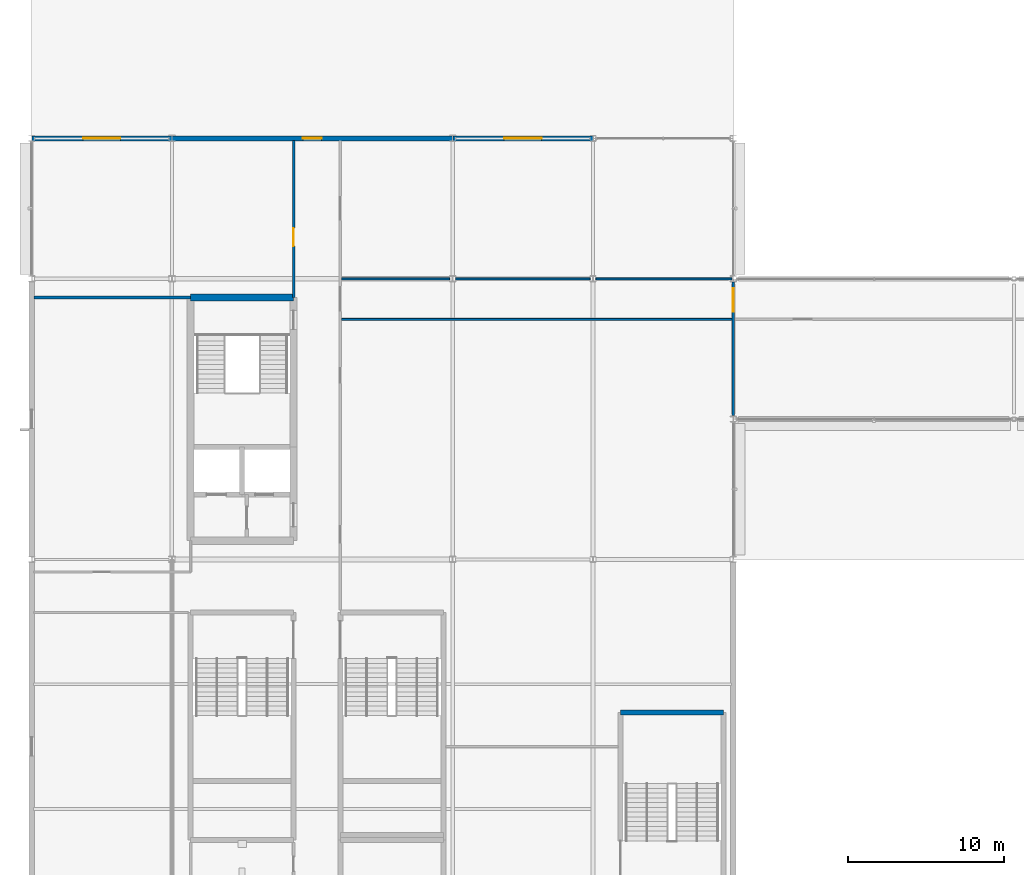
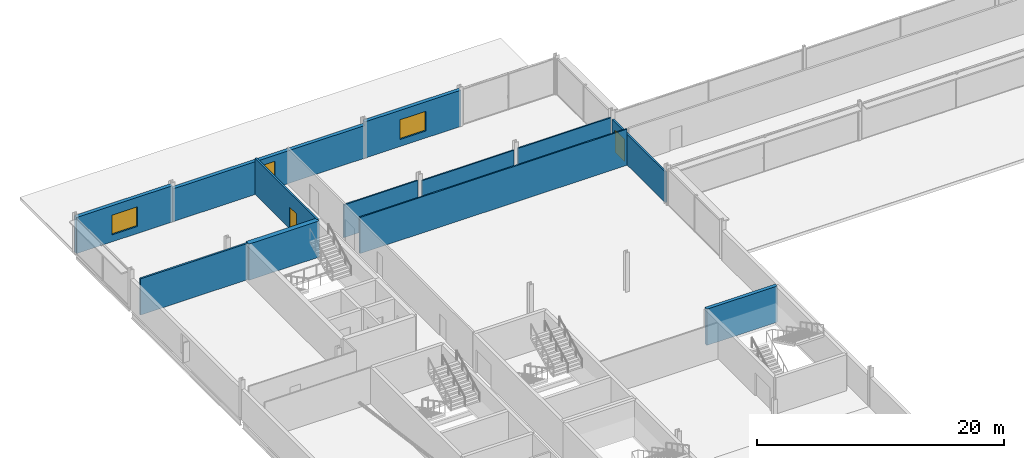
# One storey, part 65 of 105: 12 walls, 3 windows, 2 doors, 5 openings.
"""IFC4 building model written with IfcOpenShell, lengths in metres."""

from ifc_helpers import new_model, si_unit, direction, frame, frame_2d, origin, place, context, subcontext, project, spatial, rectangle, extrude, material, layer, layer_set, type_object, element, fill, save


model = new_model("IFC4")

# Units and contexts
model_context = context("Model", 3, precision=1e-05, world=origin(), true_north=direction((0.0, 1.0)))
body_context = subcontext(model_context, "Body", "Model", "MODEL_VIEW")
ifc_project = project(units=[si_unit("LENGTHUNIT", "METRE"), si_unit("AREAUNIT", "SQUARE_METRE"), si_unit("VOLUMEUNIT", "CUBIC_METRE"), si_unit("PLANEANGLEUNIT", "RADIAN"), si_unit("MASSUNIT", "GRAM", prefix="KILO")], contexts=[model_context])

# Site, building, storey
site_placement = place(None, origin())
site = spatial("IfcSite", under=ifc_project, at=site_placement, CompositionType="ELEMENT")
building_placement = place(site_placement, origin())
building = spatial("IfcBuilding", under=site, at=building_placement, Name="Kisiwana Market Hall", CompositionType="ELEMENT")
storey_placement = place(building_placement, frame((0.0, 0.0, 21.60009765625)))
storey = spatial("IfcBuildingStorey", under=building, at=storey_placement, Name="L04", CompositionType="ELEMENT", Elevation=21.60009765625)

# Walls
ifc_material_1 = material(Name="Concrete C40/50", Category="concrete")
ifc_layer_1 = layer(ifc_material_1, 0.320068359375, Name="Reinforced concrete shaft wall")
ifc_layer_set_1 = layer_set([ifc_layer_1], Name="WL-CORE-320")
wall_type_1 = type_object("IfcWallType", Name="WL-CORE-320", PredefinedType="SHEAR", material=ifc_layer_set_1)
wall_1_placement = place(storey_placement, frame((37.77001953125, 74.199951171875, 0.0), z_axis=(0.0, 0.0, 1.0), x_axis=(1.0, 0.0, 0.0)))
element("IfcWall", 1, at=wall_1_placement, inside=storey, type_object=wall_type_1, Name="Core W10 north shear wall W-1599", PredefinedType="SHEAR", context=body_context, shape_type="SweptSolid", body=[
    extrude(rectangle(XDim=6.60009765625, YDim=0.320068359375, at=frame_2d((3.300048828125, 0.0))), origin(), (0.0, 0.0, 1.0), 3.5849609375),
])
ifc_material_2 = material(Name="Concrete C40/50", Category="concrete")
ifc_layer_2 = layer(ifc_material_2, 0.449951171875, Name="Reinforced concrete core wall")
ifc_layer_set_2 = layer_set([ifc_layer_2], Name="WL-CORE-450")
wall_type_2 = type_object("IfcWallType", Name="WL-CORE-450", PredefinedType="SHEAR", material=ifc_layer_set_2)
wall_2_placement = place(storey_placement, frame((10.199951171875, 100.800048828125, 0.0), z_axis=(0.0, 0.0, 1.0), x_axis=(1.0, 0.0, 0.0)))
element("IfcWall", 2, at=wall_2_placement, inside=storey, type_object=wall_type_2, Name="Core W1 north shear wall W-1524", PredefinedType="SHEAR", context=body_context, shape_type="SweptSolid", body=[
    extrude(rectangle(XDim=6.60009765625, YDim=0.449951171875, at=frame_2d((3.300048828125, 0.0))), origin(), (0.0, 0.0, 1.0), 3.5849609375),
])
ifc_material_3 = material(Name="Masonry blockwork", Category="masonry")
ifc_layer_3 = layer(ifc_material_3, 0.169921875, Name="Protected corridor partition")
ifc_layer_set_3 = layer_set([ifc_layer_3], Name="WL-CORR-170")
wall_type_3 = type_object("IfcWallType", Name="WL-CORR-170", PredefinedType="PARTITIONING", material=ifc_layer_set_3)
wall_3_placement = place(storey_placement, frame((0.14501953125, 100.800048828125, 0.0), z_axis=(0.0, 0.0, 1.0), x_axis=(1.0, 0.0, 0.0)))
element("IfcWall", 3, at=wall_3_placement, inside=storey, type_object=wall_type_3, Name="Interior partition W-1649", PredefinedType="PARTITIONING", context=body_context, shape_type="SweptSolid", body=[
    extrude(rectangle(XDim=10.054931640625, YDim=0.169921875, at=frame_2d((5.02734375, 0.0))), origin(), (0.0, 0.0, 1.0), 3.5849609375),
])

# Wall, opening, door
wall_4_placement = place(storey_placement, frame((16.800048828125, 100.800048828125, 0.0), z_axis=(0.0, 0.0, 1.0), x_axis=(0.0, 1.0, 0.0)))
wall_4 = element("IfcWall", 4, at=wall_4_placement, inside=storey, type_object=wall_type_3, Name="Interior partition W-1655", PredefinedType="PARTITIONING", context=body_context, shape_type="SweptSolid", body=[
    extrude(rectangle(XDim=10.054931640625, YDim=0.169921875, at=frame_2d((5.02734375, 0.0))), origin(), (0.0, 0.0, 1.0), 3.5849609375),
])
opening_1_placement = place(wall_4_placement, frame((3.300048828125, 0.0, 0.0)))
opening_1 = element("IfcOpeningElement", 5, at=opening_1_placement, cuts=wall_4, Name="Opening DR-L04-034", PredefinedType="OPENING", context=body_context, shape_type="SweptSolid", body=[
    extrude(rectangle(XDim=1.14990234375, YDim=2.14990234375, at=frame_2d((0.574951171875, 1.074951171875))), frame((0.0, 0.096923828125, 0.0), z_axis=(0.0, -1.0, 0.0), x_axis=(1.0, 0.0, 0.0)), (0.0, 0.0, 1.0), 0.19384765625),
])
ifc_material_4 = material(Name="Aluminium alloy 6063-T6", Category="aluminium")
door_type_1 = type_object("IfcDoorType", Name="DR-MEET-1150", OperationType="NOTDEFINED", PredefinedType="DOOR", material=ifc_material_4)
door_1_placement = place(opening_1_placement, origin())
door_1 = element("IfcDoor", 6, at=door_1_placement, inside=storey, type_object=door_type_1, Name="L04 W Corner Office Suite North Door", OperationType="SINGLE_SWING_LEFT", OverallHeight=2.14990234375, OverallWidth=1.14990234375, PredefinedType="DOOR", context=body_context, shape_type="SweptSolid", body=[
    extrude(rectangle(XDim=1.14990234375, YDim=2.14990234375, at=frame_2d((0.574951171875, 1.074951171875))), frame((0.0, 0.02490234375, 0.0), z_axis=(0.0, -1.0, 0.0), x_axis=(1.0, 0.0, 0.0)), (0.0, 0.0, 1.0), 0.050048828125),
])
fill(opening_1, door_1)

wall_5_placement = place(storey_placement, frame((45.0, 93.219970703125, 0.0), z_axis=(0.0, 0.0, 1.0), x_axis=(0.0, 1.0, 0.0)))
wall_5 = element("IfcWall", 7, at=wall_5_placement, inside=storey, type_object=wall_type_3, Name="Interior partition W-1669", PredefinedType="PARTITIONING", context=body_context, shape_type="SweptSolid", body=[
    extrude(rectangle(XDim=8.56005859375, YDim=0.169921875, at=frame_2d((4.280029296875, 0.0))), origin(), (0.0, 0.0, 1.0), 3.0517578125),
])
opening_2_placement = place(wall_5_placement, frame((6.679931640625, 0.0, 0.0)))
opening_2 = element("IfcOpeningElement", 8, at=opening_2_placement, cuts=wall_5, Name="Opening DR-L04-045", PredefinedType="OPENING", context=body_context, shape_type="SweptSolid", body=[
    extrude(rectangle(XDim=1.5, YDim=2.199951171875, at=frame_2d((0.75, 1.10009765625))), frame((0.0, 0.096923828125, 0.0), z_axis=(0.0, -1.0, 0.0), x_axis=(1.0, 0.0, 0.0)), (0.0, 0.0, 1.0), 0.19384765625),
])
ifc_material_5 = material(Name="Steel S275", Category="steel")
door_type_2 = type_object("IfcDoorType", Name="DR-CORR-FD60-1500", OperationType="DOUBLE_DOOR_SINGLE_SWING", PredefinedType="DOOR", material=ifc_material_5)
door_2_placement = place(opening_2_placement, origin())
door_2 = element("IfcDoor", 9, at=door_2_placement, inside=storey, type_object=door_type_2, Name="L04 W North Skybridge Spine Door", OperationType="DOUBLE_DOOR_SINGLE_SWING", OverallHeight=2.199951171875, OverallWidth=1.5, PredefinedType="DOOR", context=body_context, shape_type="SweptSolid", body=[
    extrude(rectangle(XDim=1.5, YDim=2.199951171875, at=frame_2d((0.75, 1.10009765625))), frame((0.0, 0.02490234375, 0.0), z_axis=(0.0, -1.0, 0.0), x_axis=(1.0, 0.0, 0.0)), (0.0, 0.0, 1.0), 0.050048828125),
])
fill(opening_2, door_2)

# Wall, opening, window
ifc_material_6 = material(Name="Concrete C40/50 precast", Category="concrete")
ifc_layer_4 = layer(ifc_material_6, 0.14990234375, Name="Precast architectural concrete spandrel")
ifc_material_7 = material(Name="Mineral wool insulation")
ifc_layer_5 = layer(ifc_material_7, 0.090087890625, Name="Rockwool thermal insulation")
ifc_material_8 = material(Name="Masonry blockwork", Category="masonry")
ifc_layer_6 = layer(ifc_material_8, 0.10009765625, Name="Inner masonry block leaf")
ifc_layer_set_4 = layer_set([ifc_layer_4, ifc_layer_5, ifc_layer_6], Name="WL-EXT-PREC-340")
wall_type_4 = type_object("IfcWallType", Name="WL-EXT-PREC-340", PredefinedType="STANDARD", material=ifc_layer_set_4)
wall_6_placement = place(storey_placement, frame((0.010009765625, 111.0, 0.0), z_axis=(0.0, 0.0, 1.0), x_axis=(1.0, 0.0, 0.0)))
wall_6 = element("IfcWall", 10, at=wall_6_placement, inside=storey, type_object=wall_type_4, Name="Exterior wall W-1619", PredefinedType="STANDARD", context=body_context, shape_type="SweptSolid", body=[
    extrude(rectangle(XDim=8.97998046875, YDim=0.340087890625, at=frame_2d((4.489990234375, 0.0))), origin(), (0.0, 0.0, 1.0), 3.5849609375),
])
opening_3_placement = place(wall_6_placement, frame((3.2900390625, 0.0, 0.699951171875)))
opening_3 = element("IfcOpeningElement", 11, at=opening_3_placement, cuts=wall_6, Name="Opening WN-27", PredefinedType="OPENING", context=body_context, shape_type="SweptSolid", body=[
    extrude(rectangle(XDim=2.39990234375, YDim=1.949951171875, at=frame_2d((1.199951171875, 0.97509765625))), frame((0.0, 0.18212890625, 0.0), z_axis=(0.0, -1.0, 0.0), x_axis=(1.0, 0.0, 0.0)), (0.0, 0.0, 1.0), 0.364013671875),
])
ifc_material_9 = material(Name="Double-glazed solar-control low-E IGU", Category="glass")
window_type_1 = type_object("IfcWindowType", Name="WN-OFFA-2400x1950", PartitioningType="SINGLE_PANEL", PredefinedType="WINDOW", material=ifc_material_9)
window_1_placement = place(opening_3_placement, origin())
window_1 = element("IfcWindow", 12, at=window_1_placement, inside=storey, type_object=window_type_1, Name="Exterior window WN-162", OverallHeight=1.949951171875, OverallWidth=2.39990234375, PartitioningType="SINGLE_PANEL", PredefinedType="WINDOW", context=body_context, shape_type="SweptSolid", body=[
    extrude(rectangle(XDim=2.39990234375, YDim=1.949951171875, at=frame_2d((1.199951171875, 0.97509765625))), frame((0.0, 0.030029296875, 0.0), z_axis=(0.0, -1.0, 0.0), x_axis=(1.0, 0.0, 0.0)), (0.0, 0.0, 1.0), 0.06005859375),
])
fill(opening_3, window_1)

wall_7_placement = place(storey_placement, frame((9.010009765625, 111.0, 0.0), z_axis=(0.0, 0.0, 1.0), x_axis=(1.0, 0.0, 0.0)))
wall_7 = element("IfcWall", 13, at=wall_7_placement, inside=storey, type_object=wall_type_4, Name="Exterior wall W-1620", PredefinedType="STANDARD", context=body_context, shape_type="SweptSolid", body=[
    extrude(rectangle(XDim=17.97998046875, YDim=0.340087890625, at=frame_2d((8.989990234375, 0.0))), origin(), (0.0, 0.0, 1.0), 3.2451171875),
])
opening_4_placement = place(wall_7_placement, frame((8.389892578125, 0.0, 0.699951171875)))
opening_4 = element("IfcOpeningElement", 14, at=opening_4_placement, cuts=wall_7, Name="Opening WN-15", PredefinedType="OPENING", context=body_context, shape_type="SweptSolid", body=[
    extrude(rectangle(XDim=1.199951171875, YDim=1.949951171875, at=frame_2d((0.60009765625, 0.97509765625))), frame((0.0, 0.18212890625, 0.0), z_axis=(0.0, -1.0, 0.0), x_axis=(1.0, 0.0, 0.0)), (0.0, 0.0, 1.0), 0.364013671875),
])
ifc_material_10 = material(Name="Double-glazed solar-control low-E IGU", Category="glass")
window_type_2 = type_object("IfcWindowType", Name="WN-OFFA-1200x1950", PartitioningType="SINGLE_PANEL", PredefinedType="WINDOW", material=ifc_material_10)
window_2_placement = place(opening_4_placement, origin())
window_2 = element("IfcWindow", 15, at=window_2_placement, inside=storey, type_object=window_type_2, Name="Exterior window WN-145", OverallHeight=1.949951171875, OverallWidth=1.199951171875, PartitioningType="SINGLE_PANEL", PredefinedType="WINDOW", context=body_context, shape_type="SweptSolid", body=[
    extrude(rectangle(XDim=1.199951171875, YDim=1.949951171875, at=frame_2d((0.60009765625, 0.97509765625))), frame((0.0, 0.030029296875, 0.0), z_axis=(0.0, -1.0, 0.0), x_axis=(1.0, 0.0, 0.0)), (0.0, 0.0, 1.0), 0.06005859375),
])
fill(opening_4, window_2)

wall_8_placement = place(storey_placement, frame((27.010009765625, 111.0, 0.0), z_axis=(0.0, 0.0, 1.0), x_axis=(1.0, 0.0, 0.0)))
wall_8 = element("IfcWall", 16, at=wall_8_placement, inside=storey, type_object=wall_type_4, Name="Exterior wall W-1621", PredefinedType="STANDARD", context=body_context, shape_type="SweptSolid", body=[
    extrude(rectangle(XDim=8.97998046875, YDim=0.340087890625, at=frame_2d((4.489990234375, 0.0))), origin(), (0.0, 0.0, 1.0), 3.5849609375),
])
opening_5_placement = place(wall_8_placement, frame((3.2900390625, 0.0, 0.699951171875)))
opening_5 = element("IfcOpeningElement", 17, at=opening_5_placement, cuts=wall_8, Name="Opening WN-27", PredefinedType="OPENING", context=body_context, shape_type="SweptSolid", body=[
    extrude(rectangle(XDim=2.39990234375, YDim=1.949951171875, at=frame_2d((1.199951171875, 0.97509765625))), frame((0.0, 0.18212890625, 0.0), z_axis=(0.0, -1.0, 0.0), x_axis=(1.0, 0.0, 0.0)), (0.0, 0.0, 1.0), 0.364013671875),
])
window_3_placement = place(opening_5_placement, origin())
window_3 = element("IfcWindow", 18, at=window_3_placement, inside=storey, type_object=window_type_1, Name="Exterior window WN-163", OverallHeight=1.949951171875, OverallWidth=2.39990234375, PartitioningType="SINGLE_PANEL", PredefinedType="WINDOW", context=body_context, shape_type="SweptSolid", body=[
    extrude(rectangle(XDim=2.39990234375, YDim=1.949951171875, at=frame_2d((1.199951171875, 0.97509765625))), frame((0.0, 0.030029296875, 0.0), z_axis=(0.0, -1.0, 0.0), x_axis=(1.0, 0.0, 0.0)), (0.0, 0.0, 1.0), 0.06005859375),
])
fill(opening_5, window_3)

# Walls
ifc_material_11 = material(Name="Gypsum plasterboard")
ifc_layer_7 = layer(ifc_material_11, 0.125, Name="Double gypsum board + acoustic stud")
ifc_layer_set_5 = layer_set([ifc_layer_7], Name="WL-OFF-125")
wall_type_5 = type_object("IfcWallType", Name="WL-OFF-125", PredefinedType="PARTITIONING", material=ifc_layer_set_5)
wall_9_placement = place(storey_placement, frame((19.885009765625, 99.39990234375, 0.0), z_axis=(0.0, 0.0, 1.0), x_axis=(1.0, 0.0, 0.0)))
element("IfcWall", 19, at=wall_9_placement, inside=storey, type_object=wall_type_5, Name="Interior partition W-1662", PredefinedType="PARTITIONING", context=body_context, shape_type="SweptSolid", body=[
    extrude(rectangle(XDim=25.030029296875, YDim=0.125, at=frame_2d((12.51513671875, 0.0))), origin(), (0.0, 0.0, 1.0), 3.5849609375),
])
wall_10_placement = place(storey_placement, frame((19.885009765625, 102.0, 0.0), z_axis=(0.0, 0.0, 1.0), x_axis=(1.0, 0.0, 0.0)))
element("IfcWall", 20, at=wall_10_placement, inside=storey, type_object=wall_type_5, Name="Interior partition W-1663", PredefinedType="PARTITIONING", context=body_context, shape_type="SweptSolid", body=[
    extrude(rectangle(XDim=6.924560546875, YDim=0.125, at=frame_2d((3.46240234375, 0.0))), origin(), (0.0, 0.0, 1.0), 3.2451171875),
])
wall_11_placement = place(storey_placement, frame((27.1904296875, 102.0, 0.0), z_axis=(0.0, 0.0, 1.0), x_axis=(1.0, 0.0, 0.0)))
element("IfcWall", 21, at=wall_11_placement, inside=storey, type_object=wall_type_5, Name="Interior partition W-1664", PredefinedType="PARTITIONING", context=body_context, shape_type="SweptSolid", body=[
    extrude(rectangle(XDim=8.62548828125, YDim=0.125, at=frame_2d((4.312744140625, 0.0))), origin(), (0.0, 0.0, 1.0), 3.0849609375),
])
wall_12_placement = place(storey_placement, frame((36.18408203125, 102.0, 0.0), z_axis=(0.0, 0.0, 1.0), x_axis=(1.0, 0.0, 0.0)))
element("IfcWall", 22, at=wall_12_placement, inside=storey, type_object=wall_type_5, Name="Interior partition W-1665", PredefinedType="PARTITIONING", context=body_context, shape_type="SweptSolid", body=[
    extrude(rectangle(XDim=8.73095703125, YDim=0.125, at=frame_2d((4.365478515625, 0.0))), origin(), (0.0, 0.0, 1.0), 3.135009765625),
])

save(model, "model.ifc")
